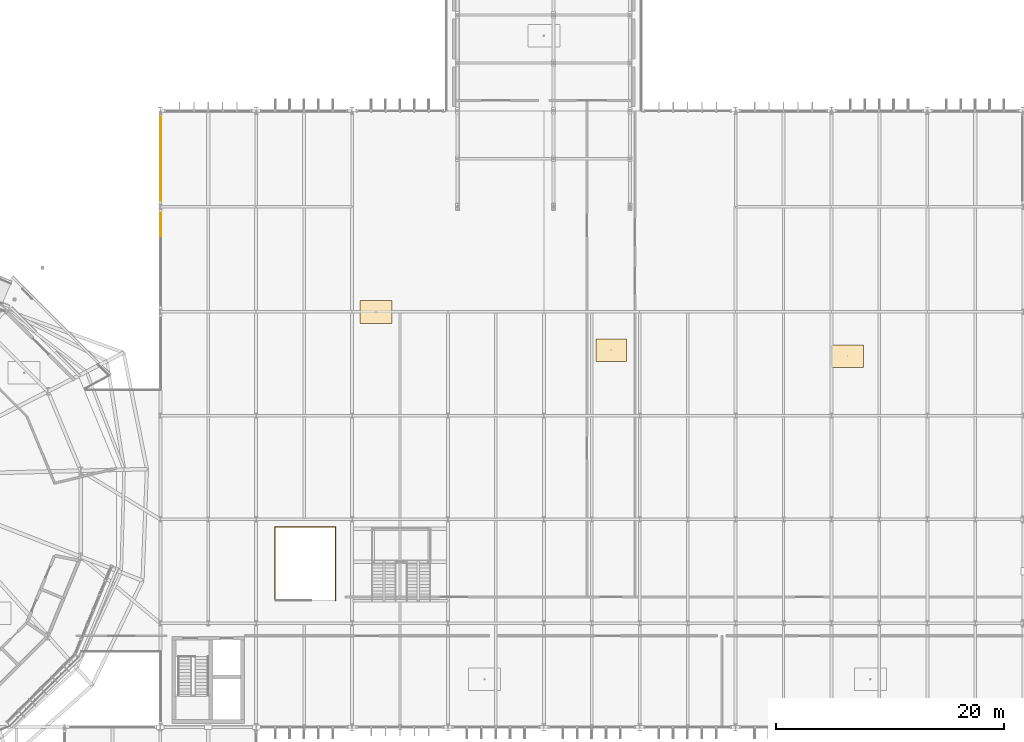
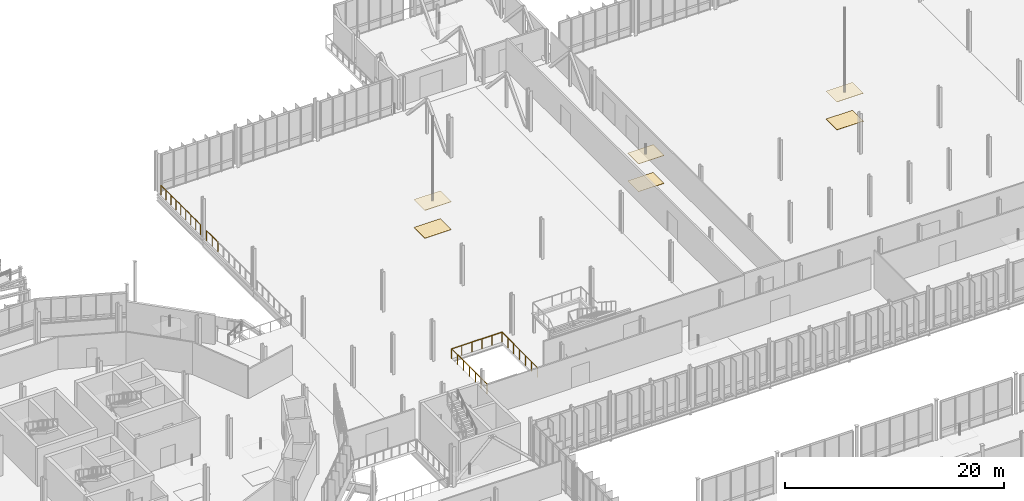
# One storey, part 135 of 139: 6 coverings, 6 railings.
"""IFC4 building model written with IfcOpenShell, lengths in metres."""

import ifcopenshell
import ifcopenshell.guid

model = None  # the IFC model being written
_history = None  # IfcOwnerHistory: only IFC2X3 demands one
_inside = {}  # id of a spatial element -> (the spatial element, [elements in it])
_under = {}  # id of a project, library or spatial element -> (it, [spatial elements below it])
_declared = {}  # id of a project -> (the project, [libraries it declares])
_typed = {}  # id of a type object -> (the type object, [elements of that type])
_made_of = {}  # id of a material, layer set ... -> (it, [elements and type objects made of it])


def new_model(schema):
    """Start an empty IFC model of exactly this schema.

    Asked for "IFC4X3", IfcOpenShell would pick the latest addendum, in which some entities
    have other attributes; the version numbers below select the first issue.
    IFC2X3 requires an IfcOwnerHistory on every rooted entity: one is made here for all.
    """
    global model, _history
    if schema == "IFC4X3":
        model = ifcopenshell.file(schema_version=(4, 3, 0, 0))
    else:
        model = ifcopenshell.file(schema=schema)
    _inside.clear()
    _under.clear()
    _declared.clear()
    _typed.clear()
    _made_of.clear()
    _history = None
    if model.schema == "IFC2X3":
        org = make("IfcOrganization", Name="unknown")
        user = make(
            "IfcPersonAndOrganization",
            ThePerson=make("IfcPerson", FamilyName="unknown"),
            TheOrganization=org,
        )
        app = make(
            "IfcApplication",
            ApplicationDeveloper=org,
            Version="unknown",
            ApplicationFullName="unknown",
            ApplicationIdentifier="unknown",
        )
        _history = make(
            "IfcOwnerHistory",
            OwningUser=user,
            OwningApplication=app,
            ChangeAction="ADDED",
            CreationDate=0,
        )
    return model


def make(cls, **values):
    """One entity of the class cls with the attributes given. An attribute that is None is left unset."""
    return model.create_entity(
        cls, **{name: value for name, value in values.items() if value is not None}
    )


def rooted(cls, **values):
    """An entity with a GlobalId (a new one), such as an element, a storey or a relation."""
    return make(cls, GlobalId=ifcopenshell.guid.new(), OwnerHistory=_history, **values)


def si_unit(unit_type, name, prefix=None):
    """IfcSIUnit, for example si_unit("LENGTHUNIT", "METRE", prefix="MILLI")."""
    return make("IfcSIUnit", UnitType=unit_type, Prefix=prefix, Name=name)


def derived_unit(unit_type, elements):
    """IfcDerivedUnit: a product of units, each with its exponent."""
    return make(
        "IfcDerivedUnit",
        Elements=[
            make("IfcDerivedUnitElement", Unit=unit, Exponent=power)
            for unit, power in elements
        ],
        UnitType=unit_type,
    )


def assignment(units):
    """IfcUnitAssignment: the units of a project."""
    return None if units is None else make("IfcUnitAssignment", Units=units)


def point(xyz):
    """IfcCartesianPoint."""
    return None if xyz is None else make("IfcCartesianPoint", Coordinates=xyz)


def direction(xyz):
    """IfcDirection."""
    return None if xyz is None else make("IfcDirection", DirectionRatios=xyz)


def frame(location, z_axis=None, x_axis=None):
    """IfcAxis2Placement3D, a coordinate frame: its origin and axes. An axis left out is left unset."""
    return make(
        "IfcAxis2Placement3D",
        Location=point(location),
        Axis=direction(z_axis),
        RefDirection=direction(x_axis),
    )


def frame_2d(location, x_axis=None):
    """IfcAxis2Placement2D, a coordinate frame in the plane: its origin and x axis."""
    return make(
        "IfcAxis2Placement2D", Location=point(location), RefDirection=direction(x_axis)
    )


def origin():
    """The frame at (0, 0, 0) with its axes left unset."""
    return frame((0.0, 0.0, 0.0))


def origin_2d():
    """The frame at (0, 0) in the plane with its x axis left unset."""
    return frame_2d((0.0, 0.0))


def place(relative_to, where):
    """IfcLocalPlacement: puts the frame where relative to a parent placement (None: the world)."""
    return make(
        "IfcLocalPlacement", PlacementRelTo=relative_to, RelativePlacement=where
    )


def context(
    kind, dimensions, precision=None, world=None, true_north=None, identifier=None
):
    """IfcGeometricRepresentationContext, for example the 3D "Model" context."""
    return make(
        "IfcGeometricRepresentationContext",
        ContextIdentifier=identifier,
        ContextType=kind,
        CoordinateSpaceDimension=dimensions,
        Precision=precision,
        WorldCoordinateSystem=world,
        TrueNorth=true_north,
    )


def subcontext(parent, identifier, kind, view, scale=None):
    """IfcGeometricRepresentationSubContext, for example "Body" below "Model"."""
    return make(
        "IfcGeometricRepresentationSubContext",
        ContextIdentifier=identifier,
        ContextType=kind,
        ParentContext=parent,
        TargetScale=scale,
        TargetView=view,
    )


def project(units=None, contexts=None):
    """IfcProject with its units and contexts."""
    return rooted(
        "IfcProject",
        Name="project",
        RepresentationContexts=contexts,
        UnitsInContext=assignment(units),
    )


def spatial(cls, under=None, at=None, **own):
    """A site, building, storey or space (cls), placed at a placement, below another one or the project."""
    s = rooted(cls, ObjectPlacement=at, **own)
    if under is not None:
        _under.setdefault(under.id(), (under, []))[1].append(s)
    return s


def polyline(points):
    """IfcPolyline through the points."""
    return make("IfcPolyline", Points=[point(p) for p in points])


def profile(cls, at=None, kind="AREA", **sizes):
    """A parametric profile (cls). Its sizes go by their IFC names, for example OverallWidth=200.0."""
    return make(cls, ProfileType=kind, Position=at, **sizes)


def circle(**sizes):
    """IfcCircleProfileDef."""
    return profile("IfcCircleProfileDef", **sizes)


def outline(outer, holes=None, kind="AREA"):
    """IfcArbitraryClosedProfileDef: a profile drawn as a closed curve; with holes, ...WithVoids."""
    if holes is None:
        return make("IfcArbitraryClosedProfileDef", ProfileType=kind, OuterCurve=outer)
    return make(
        "IfcArbitraryProfileDefWithVoids",
        ProfileType=kind,
        OuterCurve=outer,
        InnerCurves=holes,
    )


def extrude(swept, where, along, depth):
    """IfcExtrudedAreaSolid: the profile swept, set in the frame where, extruded along a direction by depth."""
    return make(
        "IfcExtrudedAreaSolid",
        SweptArea=swept,
        Position=where,
        ExtrudedDirection=direction(along),
        Depth=depth,
    )


def shape(context_of_items, identifier, shape_type, items):
    """IfcShapeRepresentation: the items that make up one representation, for example the "Body"."""
    return make(
        "IfcShapeRepresentation",
        ContextOfItems=context_of_items,
        RepresentationIdentifier=identifier,
        RepresentationType=shape_type,
        Items=items,
    )


def material(Name=None, Category=None):
    """IfcMaterial."""
    return make("IfcMaterial", Name=Name, Category=Category)


def layer(
    of_material, thickness, ventilated=None, Name=None, Category=None, Priority=None
):
    """IfcMaterialLayer: one layer of a wall or slab, of a material (None: an air gap)."""
    return make(
        "IfcMaterialLayer",
        Material=of_material,
        LayerThickness=thickness,
        IsVentilated=ventilated,
        Name=Name,
        Category=Category,
        Priority=Priority,
    )


def layer_set(layers, Name=None):
    """IfcMaterialLayerSet."""
    return make("IfcMaterialLayerSet", MaterialLayers=layers, LayerSetName=Name)


def made_of(thing, what):
    """Note that an element or type object is made of a material, layer set ...; save() writes the relation."""
    if what is not None:
        _made_of.setdefault(what.id(), (what, []))[1].append(thing)
    return thing


def type_object(cls, material=None, **own):
    """A type object (cls), such as IfcWallType, which elements share."""
    return made_of(rooted(cls, **own), material)


def element(
    cls,
    number,
    at=None,
    inside=None,
    cuts=None,
    type_object=None,
    material=None,
    context=None,
    identifier="Body",
    shape_type=None,
    held_by="IfcProductDefinitionShape",
    body=None,
    shapes=None,
    **own,
):
    """One element of the class cls, such as IfcWall. Its Tag is "e" and its number.

    at: its placement. inside: the storey or other place that contains it. cuts: it is an
    opening in that element (IfcRelVoidsElement). A single representation is given by context,
    identifier, shape_type and body (its items); several are given by shapes. held_by: the class
    of the entity that holds the representations. save() writes the other relations.
    """
    e = rooted(cls, Tag="e%d" % number, ObjectPlacement=at, **own)
    if body is not None:
        shapes = [shape(context, identifier, shape_type, body)]
    if shapes is not None:
        e.Representation = make(held_by, Representations=shapes)
    if inside is not None:
        _inside.setdefault(inside.id(), (inside, []))[1].append(e)
    if cuts is not None:
        rooted(
            "IfcRelVoidsElement", RelatingBuildingElement=cuts, RelatedOpeningElement=e
        )
    if type_object is not None:
        _typed.setdefault(type_object.id(), (type_object, []))[1].append(e)
    return made_of(e, material)


def aggregate(whole, parts):
    """IfcRelAggregates: a whole, such as a stair, and the parts it consists of."""
    return rooted("IfcRelAggregates", RelatingObject=whole, RelatedObjects=parts)


def save(model, path):
    """Write the relations noted so far, then the file.

    IfcRelAggregates (storeys below a building ...), IfcRelContainedInSpatialStructure (elements
    in a storey), IfcRelDefinesByType, IfcRelAssociatesMaterial and IfcRelDeclares: one each for
    every whole, place, type object, material and project.
    """
    for whole, parts in _under.values():
        aggregate(whole, parts)
    for where, things in _inside.values():
        rooted(
            "IfcRelContainedInSpatialStructure",
            RelatedElements=things,
            RelatingStructure=where,
        )
    for kind, things in _typed.values():
        rooted("IfcRelDefinesByType", RelatedObjects=things, RelatingType=kind)
    for what, things in _made_of.values():
        rooted("IfcRelAssociatesMaterial", RelatedObjects=things, RelatingMaterial=what)
    for by, libraries in _declared.values():
        rooted("IfcRelDeclares", RelatingContext=by, RelatedDefinitions=libraries)
    model.write(path)


model = new_model("IFC4")

# Units and contexts
model_context = context("Model", 3, precision=1e-05, world=origin(), true_north=direction((0.0, 1.0)))
body_context = subcontext(model_context, "Body", "Model", "MODEL_VIEW")
ifc_project = project(units=[si_unit("LENGTHUNIT", "METRE"), si_unit("AREAUNIT", "SQUARE_METRE"), si_unit("VOLUMEUNIT", "CUBIC_METRE"), si_unit("PLANEANGLEUNIT", "RADIAN"), si_unit("MASSUNIT", "GRAM", prefix="KILO"), derived_unit("THERMALTRANSMITTANCEUNIT", [(si_unit("MASSUNIT", "GRAM", prefix="KILO"), 1), (si_unit("TIMEUNIT", "SECOND"), -3), (si_unit("THERMODYNAMICTEMPERATUREUNIT", "KELVIN"), -1)])], contexts=[model_context])

# Site, building, storey
site_placement = place(None, origin())
site = spatial("IfcSite", under=ifc_project, at=site_placement, CompositionType="ELEMENT")
building_placement = place(site_placement, origin())
building = spatial("IfcBuilding", under=site, at=building_placement, Name="Makaiwela Harbour Ferry Terminal", CompositionType="ELEMENT")
storey_placement = place(building_placement, frame((0.0, 0.0, 5.10009765625)))
storey = spatial("IfcBuildingStorey", under=building, at=storey_placement, Name="L01", CompositionType="ELEMENT", Elevation=5.10009765625)

# Coverings
ifc_material_1 = material(Name="Thermally modified Accoya timber acoustic slat ceiling", Category="wood")
ifc_layer_1 = layer(ifc_material_1, 0.0400390625)
ifc_layer_set_1 = layer_set([ifc_layer_1], Name="Thermally modified Accoya timber acoustic slat ceiling")
covering_type_1 = type_object("IfcCoveringType", Name="INT-COV-CEIL", PredefinedType="CEILING", material=ifc_layer_set_1)
covering_1_placement = place(storey_placement, frame((0.0, 0.0, 3.099853515625)))
element("IfcCovering", 1, at=covering_1_placement, inside=storey, type_object=covering_type_1, Name="Acoustic Timber Ceiling CLG-037", PredefinedType="CEILING", context=body_context, shape_type="SweptSolid", body=[
    extrude(outline(polyline([(101.14990234375, 81.425048828125), (103.85009765625, 81.425048828125), (103.85009765625, 83.425048828125), (101.14990234375, 83.425048828125), (101.14990234375, 81.425048828125)])), origin(), (0.0, 0.0, 1.0), 0.0400390625),
])
covering_2_placement = place(storey_placement, frame((0.0, 0.0, 3.099853515625)))
element("IfcCovering", 2, at=covering_2_placement, inside=storey, type_object=covering_type_1, Name="Acoustic Timber Ceiling CLG-038", PredefinedType="CEILING", context=body_context, shape_type="SweptSolid", body=[
    extrude(outline(polyline([(80.5, 84.77490234375), (83.300048828125, 84.77490234375), (83.300048828125, 86.77490234375), (80.5, 86.77490234375), (80.5, 84.77490234375)])), origin(), (0.0, 0.0, 1.0), 0.0400390625),
])
covering_3_placement = place(storey_placement, frame((0.0, 0.0, 3.099853515625)))
element("IfcCovering", 3, at=covering_3_placement, inside=storey, type_object=covering_type_1, Name="Acoustic Timber Ceiling CLG-039", PredefinedType="CEILING", context=body_context, shape_type="SweptSolid", body=[
    extrude(outline(polyline([(121.800048828125, 80.89990234375), (124.60009765625, 80.89990234375), (124.60009765625, 82.89990234375), (121.800048828125, 82.89990234375), (121.800048828125, 80.89990234375)])), origin(), (0.0, 0.0, 1.0), 0.0400390625),
])
ifc_material_2 = material(Name="Honed coral-aggregate epoxy terrazzo flooring", Category="concrete")
ifc_layer_2 = layer(ifc_material_2, 0.02490234375)
ifc_layer_set_2 = layer_set([ifc_layer_2], Name="Honed coral-aggregate epoxy terrazzo flooring")
covering_type_2 = type_object("IfcCoveringType", Name="INT-COV-FLR", PredefinedType="FLOORING", material=ifc_layer_set_2)
covering_4_placement = place(storey_placement, origin())
element("IfcCovering", 4, at=covering_4_placement, inside=storey, type_object=covering_type_2, Name="Terrazzo Flooring FLG-037", PredefinedType="FLOORING", context=body_context, shape_type="SweptSolid", body=[
    extrude(outline(polyline([(101.14990234375, 81.425048828125), (103.85009765625, 81.425048828125), (103.85009765625, 83.425048828125), (101.14990234375, 83.425048828125), (101.14990234375, 81.425048828125)])), origin(), (0.0, 0.0, 1.0), 0.02490234375),
])
covering_5_placement = place(storey_placement, origin())
element("IfcCovering", 5, at=covering_5_placement, inside=storey, type_object=covering_type_2, Name="Terrazzo Flooring FLG-038", PredefinedType="FLOORING", context=body_context, shape_type="SweptSolid", body=[
    extrude(outline(polyline([(80.5, 84.77490234375), (83.300048828125, 84.77490234375), (83.300048828125, 86.77490234375), (80.5, 86.77490234375), (80.5, 84.77490234375)])), origin(), (0.0, 0.0, 1.0), 0.02490234375),
])
covering_6_placement = place(storey_placement, origin())
element("IfcCovering", 6, at=covering_6_placement, inside=storey, type_object=covering_type_2, Name="Terrazzo Flooring FLG-039", PredefinedType="FLOORING", context=body_context, shape_type="SweptSolid", body=[
    extrude(outline(polyline([(121.800048828125, 80.89990234375), (124.60009765625, 80.89990234375), (124.60009765625, 82.89990234375), (121.800048828125, 82.89990234375), (121.800048828125, 80.89990234375)])), origin(), (0.0, 0.0, 1.0), 0.02490234375),
])

# Railings
ifc_material_3 = material(Name="Marine grade 316L brushed stainless steel", Category="steel")
railing_type = type_object("IfcRailingType", Name="INT-RL-GRD110", PredefinedType="GUARDRAIL", material=ifc_material_3)
railing_1_placement = place(storey_placement, frame((73.050048828125, 60.47998046875, 0.0)))
element("IfcRailing", 7, at=railing_1_placement, inside=storey, type_object=railing_type, Name="Stairwell perimeter guardrail RL-0096", PredefinedType="GUARDRAIL", context=body_context, shape_type="SweptSolid", body=[
    extrude(circle(Radius=0.02392578125, at=origin_2d()), frame((0.0, 0.0, 1.09619140625), z_axis=(0.0, 1.0, 0.0), x_axis=(-1.0, 0.0, 0.0)), (0.0, 0.0, 1.0), 6.469970703125),
    extrude(circle(Radius=0.02392578125, at=origin_2d()), frame((0.0, 6.469970703125, 1.09619140625), z_axis=(1.0, 0.0, 0.0), x_axis=(0.0, 1.0, 0.0)), (0.0, 0.0, 1.0), 5.300048828125),
    extrude(circle(Radius=0.02392578125, at=origin_2d()), frame((5.300048828125, 6.469970703125, 1.09619140625), z_axis=(0.0, -1.0, 0.0), x_axis=(1.0, 0.0, 0.0)), (0.0, 0.0, 1.0), 6.469970703125),
    extrude(circle(Radius=0.02099609375, at=origin_2d()), origin(), (0.0, 0.0, 1.0), 1.072021484375),
    extrude(circle(Radius=0.02099609375, at=origin_2d()), frame((0.0, 1.078369140625, 0.0)), (0.0, 0.0, 1.0), 1.072021484375),
    extrude(circle(Radius=0.02099609375, at=origin_2d()), frame((0.0, 2.15673828125, 0.0)), (0.0, 0.0, 1.0), 1.072021484375),
    extrude(circle(Radius=0.02099609375, at=origin_2d()), frame((0.0, 3.23486328125, 0.0)), (0.0, 0.0, 1.0), 1.072021484375),
    extrude(circle(Radius=0.02099609375, at=origin_2d()), frame((0.0, 4.313232421875, 0.0)), (0.0, 0.0, 1.0), 1.072021484375),
    extrude(circle(Radius=0.02099609375, at=origin_2d()), frame((0.0, 5.3916015625, 0.0)), (0.0, 0.0, 1.0), 1.072021484375),
    extrude(circle(Radius=0.02099609375, at=origin_2d()), frame((0.0, 6.469970703125, 0.0)), (0.0, 0.0, 1.0), 1.072021484375),
    extrude(circle(Radius=0.02099609375, at=origin_2d()), frame((1.06005859375, 6.469970703125, 0.0)), (0.0, 0.0, 1.0), 1.072021484375),
    extrude(circle(Radius=0.02099609375, at=origin_2d()), frame((2.1201171875, 6.469970703125, 0.0)), (0.0, 0.0, 1.0), 1.072021484375),
    extrude(circle(Radius=0.02099609375, at=origin_2d()), frame((3.179931640625, 6.469970703125, 0.0)), (0.0, 0.0, 1.0), 1.072021484375),
    extrude(circle(Radius=0.02099609375, at=origin_2d()), frame((4.239990234375, 6.469970703125, 0.0)), (0.0, 0.0, 1.0), 1.072021484375),
    extrude(circle(Radius=0.02099609375, at=origin_2d()), frame((5.300048828125, 6.469970703125, 0.0)), (0.0, 0.0, 1.0), 1.072021484375),
    extrude(circle(Radius=0.02099609375, at=origin_2d()), frame((5.300048828125, 5.3916015625, 0.0)), (0.0, 0.0, 1.0), 1.072021484375),
    extrude(circle(Radius=0.02099609375, at=origin_2d()), frame((5.300048828125, 4.313232421875, 0.0)), (0.0, 0.0, 1.0), 1.072021484375),
    extrude(circle(Radius=0.02099609375, at=origin_2d()), frame((5.300048828125, 3.23486328125, 0.0)), (0.0, 0.0, 1.0), 1.072021484375),
    extrude(circle(Radius=0.02099609375, at=origin_2d()), frame((5.300048828125, 2.15673828125, 0.0)), (0.0, 0.0, 1.0), 1.072021484375),
    extrude(circle(Radius=0.02099609375, at=origin_2d()), frame((5.300048828125, 1.078369140625, 0.0)), (0.0, 0.0, 1.0), 1.072021484375),
    extrude(circle(Radius=0.02099609375, at=origin_2d()), frame((5.300048828125, 0.0, 0.0)), (0.0, 0.0, 1.0), 1.072021484375),
])
railing_2_placement = place(storey_placement, frame((63.0458984375, 92.426025390625, 0.0)))
element("IfcRailing", 8, at=railing_2_placement, inside=storey, type_object=railing_type, Name="Deck edge guardrail RL-0299", PredefinedType="GUARDRAIL", context=body_context, shape_type="SweptSolid", body=[
    extrude(circle(Radius=0.02392578125, at=origin_2d()), frame((0.0, 0.0, 1.09619140625), z_axis=(-0.000120496444, 0.99999999274, 0.0), x_axis=(-0.99999999274, -0.000120496444, 0.0)), (0.0, 0.0, 1.0), 2.026123046875),
    extrude(circle(Radius=0.02099609375, at=origin_2d()), origin(), (0.0, 0.0, 1.0), 1.072021484375),
    extrude(circle(Radius=0.02099609375, at=origin_2d()), frame((0.0, 1.01318359375, 0.0)), (0.0, 0.0, 1.0), 1.072021484375),
    extrude(circle(Radius=0.02099609375, at=origin_2d()), frame((-0.000244140625, 2.026123046875, 0.0)), (0.0, 0.0, 1.0), 1.072021484375),
])
railing_3_placement = place(storey_placement, frame((63.045654296875, 95.5478515625, 0.0)))
element("IfcRailing", 9, at=railing_3_placement, inside=storey, type_object=railing_type, Name="Deck edge guardrail RL-0300", PredefinedType="GUARDRAIL", context=body_context, shape_type="SweptSolid", body=[
    extrude(circle(Radius=0.02392578125, at=origin_2d()), frame((0.0, 0.0, 1.09619140625), z_axis=(-0.000133707714, 0.999999991061, 0.0), x_axis=(-0.999999991061, -0.000133707714, 0.0)), (0.0, 0.0, 1.0), 1.825927734375),
    extrude(circle(Radius=0.02099609375, at=origin_2d()), origin(), (0.0, 0.0, 1.0), 1.072021484375),
    extrude(circle(Radius=0.02099609375, at=origin_2d()), frame((0.0, 0.9130859375, 0.0)), (0.0, 0.0, 1.0), 1.072021484375),
    extrude(circle(Radius=0.02099609375, at=origin_2d()), frame((-0.000244140625, 1.825927734375, 0.0)), (0.0, 0.0, 1.0), 1.072021484375),
])
railing_4_placement = place(storey_placement, frame((63.04541015625, 97.373779296875, 0.0)))
element("IfcRailing", 10, at=railing_4_placement, inside=storey, type_object=railing_type, Name="Deck edge guardrail RL-0301", PredefinedType="GUARDRAIL", context=body_context, shape_type="SweptSolid", body=[
    extrude(circle(Radius=0.02392578125, at=origin_2d()), frame((0.0, 0.0, 1.09619140625), z_axis=(0.0, 1.0, 0.0), x_axis=(-1.0, 0.0, 0.0)), (0.0, 0.0, 1.0), 1.826171875),
    extrude(circle(Radius=0.02099609375, at=origin_2d()), origin(), (0.0, 0.0, 1.0), 1.072021484375),
    extrude(circle(Radius=0.02099609375, at=origin_2d()), frame((0.0, 0.9130859375, 0.0)), (0.0, 0.0, 1.0), 1.072021484375),
    extrude(circle(Radius=0.02099609375, at=origin_2d()), frame((0.0, 1.826171875, 0.0)), (0.0, 0.0, 1.0), 1.072021484375),
])
for number, where, name in (
    (11, (63.04541015625, 99.199951171875, 0.0), "Deck edge guardrail RL-0302"),
    (12, (63.045166015625, 101.026123046875, 0.0), "Deck edge guardrail RL-0303"),
):
    element("IfcRailing", number, at=place(storey_placement, frame(where)), inside=storey, type_object=railing_type, Name=name, PredefinedType="GUARDRAIL", context=body_context, shape_type="SweptSolid", body=[
        extrude(circle(Radius=0.02392578125, at=origin_2d()), frame((0.0, 0.0, 1.09619140625), z_axis=(-0.000133689838, 0.999999991064, 0.0), x_axis=(-0.999999991064, -0.000133689838, 0.0)), (0.0, 0.0, 1.0), 1.826171875),
        extrude(circle(Radius=0.02099609375, at=origin_2d()), origin(), (0.0, 0.0, 1.0), 1.072021484375),
        extrude(circle(Radius=0.02099609375, at=origin_2d()), frame((0.0, 0.9130859375, 0.0)), (0.0, 0.0, 1.0), 1.072021484375),
        extrude(circle(Radius=0.02099609375, at=origin_2d()), frame((-0.000244140625, 1.826171875, 0.0)), (0.0, 0.0, 1.0), 1.072021484375),
    ])

save(model, "model.ifc")
